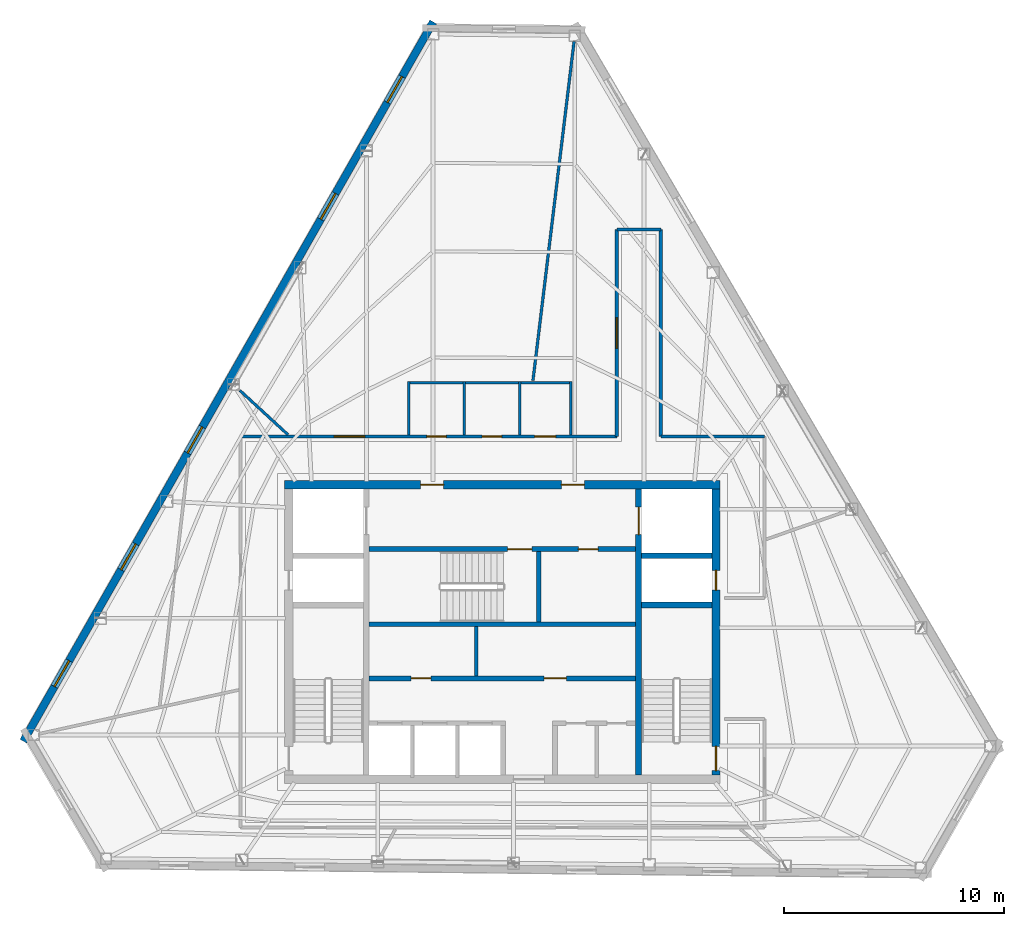
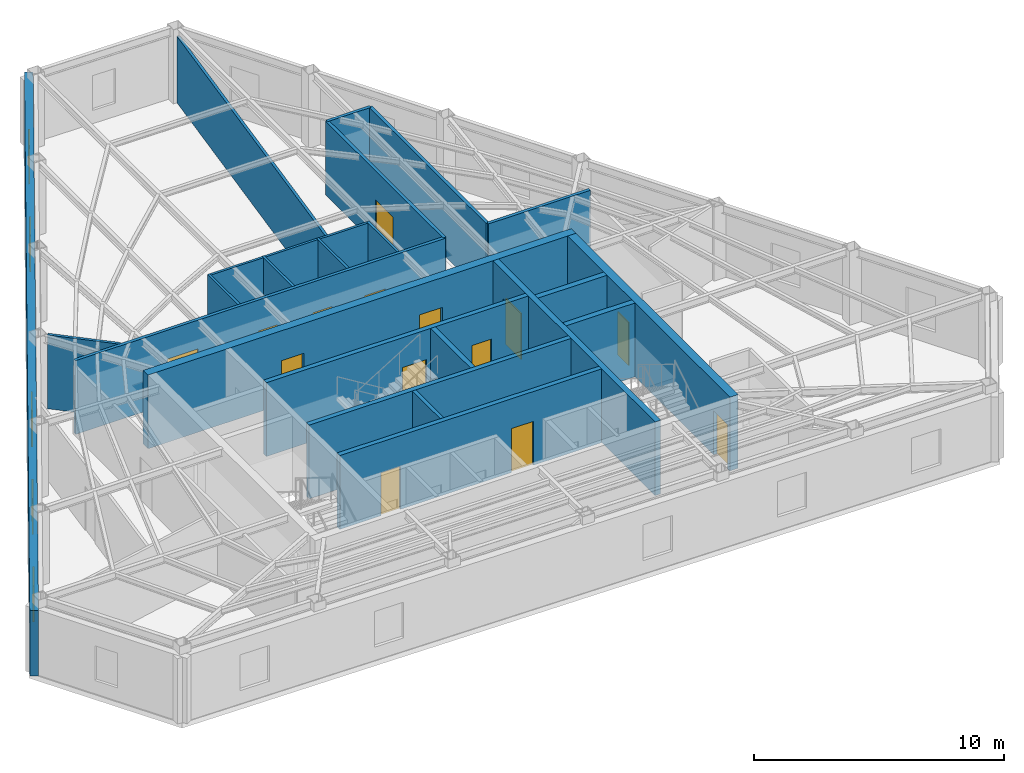
# One storey, part 8 of 10: 23 walls, 14 doors, 5 windows, 19 openings.
"""IFC4 building model written with IfcOpenShell, lengths in metres."""

from ifc_helpers import new_model, si_unit, direction, frame, frame_2d, origin, place, context, subcontext, project, spatial, rectangle, extrude, material, layer, layer_set, type_object, element, fill, save


model = new_model("IFC4")

# Units and contexts
model_context = context("Model", 3, precision=1e-05, world=origin(), true_north=direction((0.0, 1.0)))
body_context = subcontext(model_context, "Body", "Model", "MODEL_VIEW")
ifc_project = project(units=[si_unit("LENGTHUNIT", "METRE"), si_unit("AREAUNIT", "SQUARE_METRE"), si_unit("VOLUMEUNIT", "CUBIC_METRE"), si_unit("PLANEANGLEUNIT", "RADIAN"), si_unit("MASSUNIT", "GRAM", prefix="KILO")], contexts=[model_context])

# Site, building, storey
site_placement = place(None, origin())
site = spatial("IfcSite", under=ifc_project, at=site_placement, CompositionType="ELEMENT")
building_placement = place(site_placement, origin())
building = spatial("IfcBuilding", under=site, at=building_placement, Name="Kavelnor Concourse Tower", CompositionType="ELEMENT")
storey_placement = place(building_placement, frame((0.0, 0.0, 251.050048828125)))
storey = spatial("IfcBuildingStorey", under=building, at=storey_placement, Name="L63", CompositionType="ELEMENT", Elevation=251.050048828125)

# Wall, openings, doors
ifc_material_1 = material(Name="Concrete C50/60", Category="concrete")
ifc_layer_1 = layer(ifc_material_1, 0.3798828125, Name="Concrete C50/60")
ifc_layer_set_1 = layer_set([ifc_layer_1], Name="Concrete C50/60")
wall_type_1 = type_object("IfcWallType", Name="WL-CORE-Z4-380", PredefinedType="SOLIDWALL", material=ifc_layer_set_1)
wall_1_placement = place(storey_placement, frame((28.10009765625, 22.7900390625, 0.0), z_axis=(0.0, 0.0, 1.0), x_axis=(1.0, 0.0, 0.0)))
wall_1 = element("IfcWall", 1, at=wall_1_placement, inside=storey, type_object=wall_type_1, Name="L63 Central Core North Shear Wall", PredefinedType="SOLIDWALL", context=body_context, shape_type="SweptSolid", body=[
    extrude(rectangle(XDim=19.7998046875, YDim=0.3798828125, at=frame_2d((9.89990234375, 0.0))), origin(), (0.0, 0.0, 1.0), 3.60986328125),
])
opening_1_placement = place(wall_1_placement, frame((6.175048828125, 0.0, 0.0)))
opening_1 = element("IfcOpeningElement", 2, at=opening_1_placement, cuts=wall_1, Name="Opening FD-105", PredefinedType="OPENING", context=body_context, shape_type="SweptSolid", body=[
    extrude(rectangle(XDim=1.050048828125, YDim=2.14990234375, at=frame_2d((0.52490234375, 1.074951171875))), frame((0.0, 0.199951171875, 0.0), z_axis=(0.0, -1.0, 0.0), x_axis=(1.0, 0.0, 0.0)), (0.0, 0.0, 1.0), 0.39990234375),
])
opening_2_placement = place(wall_1_placement, frame((12.574951171875, 0.0, 0.0)))
opening_2 = element("IfcOpeningElement", 3, at=opening_2_placement, cuts=wall_1, Name="Opening FD-105", PredefinedType="OPENING", context=body_context, shape_type="SweptSolid", body=[
    extrude(rectangle(XDim=1.050048828125, YDim=2.14990234375, at=frame_2d((0.52490234375, 1.074951171875))), frame((0.0, 0.199951171875, 0.0), z_axis=(0.0, -1.0, 0.0), x_axis=(1.0, 0.0, 0.0)), (0.0, 0.0, 1.0), 0.39990234375),
])
ifc_material_2 = material(Name="Steel Grade 350", Category="steel")
door_type_1 = type_object("IfcDoorType", Name="DR-LOBBY-FIRE-1050", OperationType="NOTDEFINED", PredefinedType="DOOR", material=ifc_material_2)
door_1_placement = place(opening_1_placement, origin())
door_1 = element("IfcDoor", 4, at=door_1_placement, inside=storey, type_object=door_type_1, Name="L63 Emergency Lift Lobby West Door", OperationType="SINGLE_SWING_LEFT", OverallHeight=2.14990234375, OverallWidth=1.050048828125, PredefinedType="DOOR", context=body_context, shape_type="SweptSolid", body=[
    extrude(rectangle(XDim=1.050048828125, YDim=2.14990234375, at=frame_2d((0.52490234375, 1.074951171875))), frame((0.0, 0.02490234375, 0.0), z_axis=(0.0, -1.0, 0.0), x_axis=(1.0, 0.0, 0.0)), (0.0, 0.0, 1.0), 0.050048828125),
])
fill(opening_1, door_1)
door_2_placement = place(opening_2_placement, origin())
door_2 = element("IfcDoor", 5, at=door_2_placement, inside=storey, type_object=door_type_1, Name="L63 Emergency Lift Lobby East Door", OperationType="SINGLE_SWING_RIGHT", OverallHeight=2.14990234375, OverallWidth=1.050048828125, PredefinedType="DOOR", context=body_context, shape_type="SweptSolid", body=[
    extrude(rectangle(XDim=1.050048828125, YDim=2.14990234375, at=frame_2d((0.52490234375, 1.074951171875))), frame((0.0, 0.02490234375, 0.0), z_axis=(0.0, -1.0, 0.0), x_axis=(1.0, 0.0, 0.0)), (0.0, 0.0, 1.0), 0.050048828125),
])
fill(opening_2, door_2)

wall_2_placement = place(storey_placement, frame((47.7099609375, 9.60009765625, 0.0), z_axis=(0.0, 0.0, 1.0), x_axis=(0.0, 1.0, 0.0)))
wall_2 = element("IfcWall", 6, at=wall_2_placement, inside=storey, type_object=wall_type_1, Name="L63 Central Core East Shear Wall", PredefinedType="SOLIDWALL", context=body_context, shape_type="SweptSolid", body=[
    extrude(rectangle(XDim=13.0, YDim=0.3798828125, at=frame_2d((6.5, 0.0))), origin(), (0.0, 0.0, 1.0), 3.60986328125),
])
opening_3_placement = place(wall_2_placement, frame((0.199951171875, 0.0, 0.0)))
opening_3 = element("IfcOpeningElement", 7, at=opening_3_placement, cuts=wall_2, Name="Opening FD-110", PredefinedType="OPENING", context=body_context, shape_type="SweptSolid", body=[
    extrude(rectangle(XDim=1.10009765625, YDim=2.14990234375, at=frame_2d((0.550048828125, 1.074951171875))), frame((0.0, 0.199951171875, 0.0), z_axis=(0.0, -1.0, 0.0), x_axis=(1.0, 0.0, 0.0)), (0.0, 0.0, 1.0), 0.39990234375),
])
opening_4_placement = place(wall_2_placement, frame((8.39990234375, 0.0, 0.0)))
opening_4 = element("IfcOpeningElement", 8, at=opening_4_placement, cuts=wall_2, Name="Opening FD-090", PredefinedType="OPENING", context=body_context, shape_type="SweptSolid", body=[
    extrude(rectangle(XDim=0.89990234375, YDim=2.10009765625, at=frame_2d((0.449951171875, 1.050048828125))), frame((0.0, 0.199951171875, 0.0), z_axis=(0.0, -1.0, 0.0), x_axis=(1.0, 0.0, 0.0)), (0.0, 0.0, 1.0), 0.39990234375),
])
door_type_2 = type_object("IfcDoorType", Name="DR-RISER-FIRE-900", OperationType="NOTDEFINED", PredefinedType="DOOR", material=ifc_material_2)
door_3_placement = place(opening_4_placement, origin())
door_3 = element("IfcDoor", 9, at=door_3_placement, inside=storey, type_object=door_type_2, Name="L63 East Riser Access Door", OperationType="SINGLE_SWING_LEFT", OverallHeight=2.10009765625, OverallWidth=0.89990234375, PredefinedType="DOOR", context=body_context, shape_type="SweptSolid", body=[
    extrude(rectangle(XDim=0.89990234375, YDim=2.10009765625, at=frame_2d((0.449951171875, 1.050048828125))), frame((0.0, 0.02490234375, 0.0), z_axis=(0.0, -1.0, 0.0), x_axis=(1.0, 0.0, 0.0)), (0.0, 0.0, 1.0), 0.050048828125),
])
fill(opening_4, door_3)
door_type_3 = type_object("IfcDoorType", Name="DR-STAIR-FIRE-1100", OperationType="NOTDEFINED", PredefinedType="DOOR", material=ifc_material_2)
door_4_placement = place(opening_3_placement, origin())
door_4 = element("IfcDoor", 10, at=door_4_placement, inside=storey, type_object=door_type_3, Name="L63 Stair ST2 Fire Door", OperationType="SINGLE_SWING_RIGHT", OverallHeight=2.14990234375, OverallWidth=1.10009765625, PredefinedType="DOOR", context=body_context, shape_type="SweptSolid", body=[
    extrude(rectangle(XDim=1.10009765625, YDim=2.14990234375, at=frame_2d((0.550048828125, 1.074951171875))), frame((0.0, 0.02490234375, 0.0), z_axis=(0.0, -1.0, 0.0), x_axis=(1.0, 0.0, 0.0)), (0.0, 0.0, 1.0), 0.050048828125),
])
fill(opening_3, door_4)

# Wall, openings, windows
ifc_material_3 = material(Name="Red-ochre clay face brick masonry", Category="masonry")
ifc_layer_2 = layer(ifc_material_3, 0.35009765625, Name="Red-ochre clay face brick masonry")
ifc_layer_set_2 = layer_set([ifc_layer_2], Name="Red-ochre clay face brick masonry")
wall_type_2 = type_object("IfcWallType", Name="WL-EXT-RED-BRICK-PIER-350", PredefinedType="STANDARD", material=ifc_layer_set_2)
wall_3_placement = place(storey_placement, frame((16.214111328125, 11.135498046875, 0.0), z_axis=(0.0, 0.0, 1.0), x_axis=(0.49510347201, 0.868834018673, 0.0)))
wall_3 = element("IfcWall", 11, at=wall_3_placement, inside=storey, type_object=wall_type_2, Name="L63 Exterior Brick Facade Wall E1", PredefinedType="STANDARD", context=body_context, shape_type="SweptSolid", body=[
    extrude(rectangle(XDim=37.64306640625, YDim=0.35009765625, at=frame_2d((18.821533203125, 0.0))), origin(), (0.0, 0.0, 1.0), 3.196044921875),
])
opening_5_placement = place(wall_3_placement, frame((33.4287109375, 0.0, 0.64990234375)))
opening_5 = element("IfcOpeningElement", 12, at=opening_5_placement, cuts=wall_3, Name="Opening W-04", PredefinedType="OPENING", context=body_context, shape_type="SweptSolid", body=[
    extrude(rectangle(XDim=1.35009765625, YDim=1.75, at=frame_2d((0.675048828125, 0.875))), frame((0.0, 0.18505859375, 0.0), z_axis=(0.0, -1.0, 0.0), x_axis=(1.0, 0.0, 0.0)), (0.0, 0.0, 1.0), 0.3701171875),
])
opening_6_placement = place(wall_3_placement, frame((27.314697265625, 0.0, 0.64990234375)))
opening_6 = element("IfcOpeningElement", 13, at=opening_6_placement, cuts=wall_3, Name="Opening W-04", PredefinedType="OPENING", context=body_context, shape_type="SweptSolid", body=[
    extrude(rectangle(XDim=1.35009765625, YDim=1.75, at=frame_2d((0.675048828125, 0.875))), frame((0.0, 0.18505859375, 0.0), z_axis=(0.0, -1.0, 0.0), x_axis=(1.0, 0.0, 0.0)), (0.0, 0.0, 1.0), 0.3701171875),
])
opening_7_placement = place(wall_3_placement, frame((15.0869140625, 0.0, 0.64990234375)))
opening_7 = element("IfcOpeningElement", 14, at=opening_7_placement, cuts=wall_3, Name="Opening W-04", PredefinedType="OPENING", context=body_context, shape_type="SweptSolid", body=[
    extrude(rectangle(XDim=1.35009765625, YDim=1.75, at=frame_2d((0.675048828125, 0.875))), frame((0.0, 0.18505859375, 0.0), z_axis=(0.0, -1.0, 0.0), x_axis=(1.0, 0.0, 0.0)), (0.0, 0.0, 1.0), 0.3701171875),
])
opening_8_placement = place(wall_3_placement, frame((8.972900390625, 0.0, 0.64990234375)))
opening_8 = element("IfcOpeningElement", 15, at=opening_8_placement, cuts=wall_3, Name="Opening W-04", PredefinedType="OPENING", context=body_context, shape_type="SweptSolid", body=[
    extrude(rectangle(XDim=1.35009765625, YDim=1.75, at=frame_2d((0.675048828125, 0.875))), frame((0.0, 0.18505859375, 0.0), z_axis=(0.0, -1.0, 0.0), x_axis=(1.0, 0.0, 0.0)), (0.0, 0.0, 1.0), 0.3701171875),
])
opening_9_placement = place(wall_3_placement, frame((2.85888671875, 0.0, 0.64990234375)))
opening_9 = element("IfcOpeningElement", 16, at=opening_9_placement, cuts=wall_3, Name="Opening W-04", PredefinedType="OPENING", context=body_context, shape_type="SweptSolid", body=[
    extrude(rectangle(XDim=1.35009765625, YDim=1.75, at=frame_2d((0.675048828125, 0.875))), frame((0.0, 0.18505859375, 0.0), z_axis=(0.0, -1.0, 0.0), x_axis=(1.0, 0.0, 0.0)), (0.0, 0.0, 1.0), 0.3701171875),
])
ifc_material_4 = material(Name="Double low-E argon insulated glazing", Category="glass")
window_type = type_object("IfcWindowType", Name="WIN-PIER-Z4-1350", PartitioningType="SINGLE_PANEL", PredefinedType="WINDOW", material=ifc_material_4)
window_1_placement = place(opening_5_placement, origin())
window_1 = element("IfcWindow", 17, at=window_1_placement, inside=storey, type_object=window_type, Name="L63 Deep-Set Brick Pier Window F0-B0", OverallHeight=1.75, OverallWidth=1.35009765625, PartitioningType="SINGLE_PANEL", PredefinedType="WINDOW", context=body_context, shape_type="SweptSolid", body=[
    extrude(rectangle(XDim=1.35009765625, YDim=1.75, at=frame_2d((0.675048828125, 0.875))), frame((0.0, 0.030029296875, 0.0), z_axis=(0.0, -1.0, 0.0), x_axis=(1.0, 0.0, 0.0)), (0.0, 0.0, 1.0), 0.06005859375),
])
fill(opening_5, window_1)
window_2_placement = place(opening_6_placement, origin())
window_2 = element("IfcWindow", 18, at=window_2_placement, inside=storey, type_object=window_type, Name="L63 Deep-Set Brick Pier Window F0-B1", OverallHeight=1.75, OverallWidth=1.35009765625, PartitioningType="SINGLE_PANEL", PredefinedType="WINDOW", context=body_context, shape_type="SweptSolid", body=[
    extrude(rectangle(XDim=1.35009765625, YDim=1.75, at=frame_2d((0.675048828125, 0.875))), frame((0.0, 0.030029296875, 0.0), z_axis=(0.0, -1.0, 0.0), x_axis=(1.0, 0.0, 0.0)), (0.0, 0.0, 1.0), 0.06005859375),
])
fill(opening_6, window_2)
window_3_placement = place(opening_7_placement, origin())
window_3 = element("IfcWindow", 19, at=window_3_placement, inside=storey, type_object=window_type, Name="L63 Deep-Set Brick Pier Window F0-B3", OverallHeight=1.75, OverallWidth=1.35009765625, PartitioningType="SINGLE_PANEL", PredefinedType="WINDOW", context=body_context, shape_type="SweptSolid", body=[
    extrude(rectangle(XDim=1.35009765625, YDim=1.75, at=frame_2d((0.675048828125, 0.875))), frame((0.0, 0.030029296875, 0.0), z_axis=(0.0, -1.0, 0.0), x_axis=(1.0, 0.0, 0.0)), (0.0, 0.0, 1.0), 0.06005859375),
])
fill(opening_7, window_3)
window_4_placement = place(opening_8_placement, origin())
window_4 = element("IfcWindow", 20, at=window_4_placement, inside=storey, type_object=window_type, Name="L63 Deep-Set Brick Pier Window F0-B4", OverallHeight=1.75, OverallWidth=1.35009765625, PartitioningType="SINGLE_PANEL", PredefinedType="WINDOW", context=body_context, shape_type="SweptSolid", body=[
    extrude(rectangle(XDim=1.35009765625, YDim=1.75, at=frame_2d((0.675048828125, 0.875))), frame((0.0, 0.030029296875, 0.0), z_axis=(0.0, -1.0, 0.0), x_axis=(1.0, 0.0, 0.0)), (0.0, 0.0, 1.0), 0.06005859375),
])
fill(opening_8, window_4)
window_5_placement = place(opening_9_placement, origin())
window_5 = element("IfcWindow", 21, at=window_5_placement, inside=storey, type_object=window_type, Name="L63 Deep-Set Brick Pier Window F0-B5", OverallHeight=1.75, OverallWidth=1.35009765625, PartitioningType="SINGLE_PANEL", PredefinedType="WINDOW", context=body_context, shape_type="SweptSolid", body=[
    extrude(rectangle(XDim=1.35009765625, YDim=1.75, at=frame_2d((0.675048828125, 0.875))), frame((0.0, 0.030029296875, 0.0), z_axis=(0.0, -1.0, 0.0), x_axis=(1.0, 0.0, 0.0)), (0.0, 0.0, 1.0), 0.06005859375),
])
fill(opening_9, window_5)

# Wall, opening, door
ifc_material_5 = material(Name="Gypsum plasterboard on light-gauge steel studs", Category="steel")
ifc_layer_3 = layer(ifc_material_5, 0.14501953125, Name="Gypsum plasterboard on light-gauge steel studs")
ifc_layer_set_3 = layer_set([ifc_layer_3], Name="Gypsum plasterboard on light-gauge steel studs")
wall_type_3 = type_object("IfcWallType", Name="WL-INT-CORR-145", PredefinedType="PARTITIONING", material=ifc_layer_set_3)
wall_4_placement = place(storey_placement, frame((43.199951171875, 24.989990234375, 0.0), z_axis=(0.0, 0.0, 1.0), x_axis=(0.0, 1.0, 0.0)))
wall_4 = element("IfcWall", 22, at=wall_4_placement, inside=storey, type_object=wall_type_3, Name="L63 Corridor Wall WL-L63-CR-01", PredefinedType="PARTITIONING", context=body_context, shape_type="SweptSolid", body=[
    extrude(rectangle(XDim=9.409912109375, YDim=0.14501953125, at=frame_2d((4.705078125, 0.0))), origin(), (0.0, 0.0, 1.0), 3.60986328125),
])
opening_10_placement = place(wall_4_placement, frame((4.0048828125, 0.0, 0.0)))
opening_10 = element("IfcOpeningElement", 23, at=opening_10_placement, cuts=wall_4, Name="Opening SD-140", PredefinedType="OPENING", context=body_context, shape_type="SweptSolid", body=[
    extrude(rectangle(XDim=1.39990234375, YDim=2.199951171875, at=frame_2d((0.699951171875, 1.10009765625))), frame((0.0, 0.08251953125, 0.0), z_axis=(0.0, -1.0, 0.0), x_axis=(1.0, 0.0, 0.0)), (0.0, 0.0, 1.0), 0.1650390625),
])
ifc_material_6 = material(Name="Solid-core hardwood timber", Category="wood")
door_type_4 = type_object("IfcDoorType", Name="DR-SUITE-ENTRY-1400", OperationType="NOTDEFINED", PredefinedType="DOOR", material=ifc_material_6)
door_5_placement = place(opening_10_placement, origin())
door_5 = element("IfcDoor", 24, at=door_5_placement, inside=storey, type_object=door_type_4, Name="L63 Staff Breakout Pantry 01 Door", OperationType="SINGLE_SWING_LEFT", OverallHeight=2.199951171875, OverallWidth=1.39990234375, PredefinedType="DOOR", context=body_context, shape_type="SweptSolid", body=[
    extrude(rectangle(XDim=1.39990234375, YDim=2.199951171875, at=frame_2d((0.699951171875, 1.10009765625))), frame((0.0, 0.02490234375, 0.0), z_axis=(0.0, -1.0, 0.0), x_axis=(1.0, 0.0, 0.0)), (0.0, 0.0, 1.0), 0.050048828125),
])
fill(opening_10, door_5)

# Walls
wall_5_placement = place(storey_placement, frame((43.199951171875, 34.39990234375, 0.0), z_axis=(0.0, 0.0, 1.0), x_axis=(1.0, 0.0, 0.0)))
element("IfcWall", 25, at=wall_5_placement, inside=storey, type_object=wall_type_3, Name="L63 Corridor Wall WL-L63-CR-02", PredefinedType="PARTITIONING", context=body_context, shape_type="SweptSolid", body=[
    extrude(rectangle(XDim=2.0, YDim=0.14501953125, at=frame_2d((1.0, 0.0))), origin(), (0.0, 0.0, 1.0), 3.60986328125),
])
wall_6_placement = place(storey_placement, frame((45.199951171875, 34.39990234375, 0.0), z_axis=(0.0, 0.0, 1.0), x_axis=(0.0, -1.0, 0.0)))
element("IfcWall", 26, at=wall_6_placement, inside=storey, type_object=wall_type_3, Name="L63 Corridor Wall WL-L63-CR-03", PredefinedType="PARTITIONING", context=body_context, shape_type="SweptSolid", body=[
    extrude(rectangle(XDim=9.409912109375, YDim=0.14501953125, at=frame_2d((4.705078125, 0.0))), origin(), (0.0, 0.0, 1.0), 3.60986328125),
])
wall_7_placement = place(storey_placement, frame((45.199951171875, 24.989990234375, 0.0), z_axis=(0.0, 0.0, 1.0), x_axis=(1.0, 0.0, 0.0)))
element("IfcWall", 27, at=wall_7_placement, inside=storey, type_object=wall_type_3, Name="L63 Corridor Wall WL-L63-CR-04", PredefinedType="PARTITIONING", context=body_context, shape_type="SweptSolid", body=[
    extrude(rectangle(XDim=4.7099609375, YDim=0.14501953125, at=frame_2d((2.35498046875, 0.0))), origin(), (0.0, 0.0, 1.0), 3.60986328125),
])

# Wall, openings, doors
wall_8_placement = place(storey_placement, frame((26.090087890625, 24.989990234375, 0.0), z_axis=(0.0, 0.0, 1.0), x_axis=(1.0, 0.0, 0.0)))
wall_8 = element("IfcWall", 28, at=wall_8_placement, inside=storey, type_object=wall_type_3, Name="L63 Corridor Wall WL-L63-CR-11", PredefinedType="PARTITIONING", context=body_context, shape_type="SweptSolid", body=[
    extrude(rectangle(XDim=17.10986328125, YDim=0.14501953125, at=frame_2d((8.554931640625, 0.0))), origin(), (0.0, 0.0, 1.0), 3.60986328125),
])
opening_11_placement = place(wall_8_placement, frame((8.469970703125, 0.0, 0.0)))
opening_11 = element("IfcOpeningElement", 29, at=opening_11_placement, cuts=wall_8, Name="Opening WD-088", PredefinedType="OPENING", context=body_context, shape_type="SweptSolid", body=[
    extrude(rectangle(XDim=0.8798828125, YDim=2.10009765625, at=frame_2d((0.43994140625, 1.050048828125))), frame((0.0, 0.08251953125, 0.0), z_axis=(0.0, -1.0, 0.0), x_axis=(1.0, 0.0, 0.0)), (0.0, 0.0, 1.0), 0.1650390625),
])
opening_12_placement = place(wall_8_placement, frame((10.989990234375, 0.0, 0.0)))
opening_12 = element("IfcOpeningElement", 30, at=opening_12_placement, cuts=wall_8, Name="Opening WD-088", PredefinedType="OPENING", context=body_context, shape_type="SweptSolid", body=[
    extrude(rectangle(XDim=0.8798828125, YDim=2.10009765625, at=frame_2d((0.43994140625, 1.050048828125))), frame((0.0, 0.08251953125, 0.0), z_axis=(0.0, -1.0, 0.0), x_axis=(1.0, 0.0, 0.0)), (0.0, 0.0, 1.0), 0.1650390625),
])
opening_13_placement = place(wall_8_placement, frame((13.3701171875, 0.0, 0.0)))
opening_13 = element("IfcOpeningElement", 31, at=opening_13_placement, cuts=wall_8, Name="Opening WD-096", PredefinedType="OPENING", context=body_context, shape_type="SweptSolid", body=[
    extrude(rectangle(XDim=0.9599609375, YDim=2.10009765625, at=frame_2d((0.47998046875, 1.050048828125))), frame((0.0, 0.08251953125, 0.0), z_axis=(0.0, -1.0, 0.0), x_axis=(1.0, 0.0, 0.0)), (0.0, 0.0, 1.0), 0.1650390625),
])
opening_14_placement = place(wall_8_placement, frame((4.257080078125, 0.0, 0.0)))
opening_14 = element("IfcOpeningElement", 32, at=opening_14_placement, cuts=wall_8, Name="Opening SD-140", PredefinedType="OPENING", context=body_context, shape_type="SweptSolid", body=[
    extrude(rectangle(XDim=1.39990234375, YDim=2.199951171875, at=frame_2d((0.699951171875, 1.10009765625))), frame((0.0, 0.08251953125, 0.0), z_axis=(0.0, -1.0, 0.0), x_axis=(1.0, 0.0, 0.0)), (0.0, 0.0, 1.0), 0.1650390625),
])
door_6_placement = place(opening_14_placement, origin())
door_6 = element("IfcDoor", 33, at=door_6_placement, inside=storey, type_object=door_type_4, Name="L63 Client Concierge 02 Door", OperationType="SINGLE_SWING_RIGHT", OverallHeight=2.199951171875, OverallWidth=1.39990234375, PredefinedType="DOOR", context=body_context, shape_type="SweptSolid", body=[
    extrude(rectangle(XDim=1.39990234375, YDim=2.199951171875, at=frame_2d((0.699951171875, 1.10009765625))), frame((0.0, 0.02490234375, 0.0), z_axis=(0.0, -1.0, 0.0), x_axis=(1.0, 0.0, 0.0)), (0.0, 0.0, 1.0), 0.050048828125),
])
fill(opening_14, door_6)
door_type_5 = type_object("IfcDoorType", Name="DR-WC-ACC-960", OperationType="NOTDEFINED", PredefinedType="DOOR", material=ifc_material_6)
door_7_placement = place(opening_13_placement, origin())
door_7 = element("IfcDoor", 34, at=door_7_placement, inside=storey, type_object=door_type_5, Name="L63 Accessible WC Door", OperationType="SINGLE_SWING_RIGHT", OverallHeight=2.10009765625, OverallWidth=0.9599609375, PredefinedType="DOOR", context=body_context, shape_type="SweptSolid", body=[
    extrude(rectangle(XDim=0.9599609375, YDim=2.10009765625, at=frame_2d((0.47998046875, 1.050048828125))), frame((0.0, 0.02490234375, 0.0), z_axis=(0.0, -1.0, 0.0), x_axis=(1.0, 0.0, 0.0)), (0.0, 0.0, 1.0), 0.050048828125),
])
fill(opening_13, door_7)
door_type_6 = type_object("IfcDoorType", Name="DR-WC-STD-880", OperationType="NOTDEFINED", PredefinedType="DOOR", material=ifc_material_6)
door_8_placement = place(opening_11_placement, origin())
door_8 = element("IfcDoor", 35, at=door_8_placement, inside=storey, type_object=door_type_6, Name="L63 Male WC Door", OperationType="SINGLE_SWING_RIGHT", OverallHeight=2.10009765625, OverallWidth=0.8798828125, PredefinedType="DOOR", context=body_context, shape_type="SweptSolid", body=[
    extrude(rectangle(XDim=0.8798828125, YDim=2.10009765625, at=frame_2d((0.43994140625, 1.050048828125))), frame((0.0, 0.02490234375, 0.0), z_axis=(0.0, -1.0, 0.0), x_axis=(1.0, 0.0, 0.0)), (0.0, 0.0, 1.0), 0.050048828125),
])
fill(opening_11, door_8)
door_9_placement = place(opening_12_placement, origin())
door_9 = element("IfcDoor", 36, at=door_9_placement, inside=storey, type_object=door_type_6, Name="L63 Female WC Door", OperationType="SINGLE_SWING_LEFT", OverallHeight=2.10009765625, OverallWidth=0.8798828125, PredefinedType="DOOR", context=body_context, shape_type="SweptSolid", body=[
    extrude(rectangle(XDim=0.8798828125, YDim=2.10009765625, at=frame_2d((0.43994140625, 1.050048828125))), frame((0.0, 0.02490234375, 0.0), z_axis=(0.0, -1.0, 0.0), x_axis=(1.0, 0.0, 0.0)), (0.0, 0.0, 1.0), 0.050048828125),
])
fill(opening_12, door_9)

# Walls
ifc_layer_4 = layer(ifc_material_5, 0.1650390625, Name="Gypsum plasterboard on light-gauge steel studs")
ifc_layer_set_4 = layer_set([ifc_layer_4], Name="Gypsum plasterboard on light-gauge steel studs")
wall_type_4 = type_object("IfcWallType", Name="WL-INT-FIRE-165", PredefinedType="PARTITIONING", material=ifc_layer_set_4)
wall_9_placement = place(storey_placement, frame((36.800048828125, 14.10009765625, 0.0), z_axis=(0.0, 0.0, 1.0), x_axis=(0.0, 1.0, 0.0)))
element("IfcWall", 37, at=wall_9_placement, inside=storey, type_object=wall_type_4, Name="L63 Reclaimed Core Partition A", PredefinedType="PARTITIONING", context=body_context, shape_type="SweptSolid", body=[
    extrude(rectangle(XDim=2.239990234375, YDim=0.1650390625, at=frame_2d((1.1201171875, 0.0))), origin(), (0.0, 0.0, 1.0), 3.60986328125),
])
ifc_layer_5 = layer(ifc_material_5, 0.125, Name="Gypsum plasterboard on light-gauge steel studs")
ifc_layer_set_5 = layer_set([ifc_layer_5], Name="Gypsum plasterboard on light-gauge steel studs")
wall_type_5 = type_object("IfcWallType", Name="WL-INT-SUITE-125", PredefinedType="PARTITIONING", material=ifc_layer_set_5)
wall_10_placement = place(storey_placement, frame((39.387451171875, 27.5400390625, 0.0), z_axis=(0.0, 0.0, 1.0), x_axis=(0.12041169592, 0.99272404196, 0.0)))
element("IfcWall", 38, at=wall_10_placement, inside=storey, type_object=wall_type_5, Name="L63 Radial Suite Partition 02", PredefinedType="PARTITIONING", context=body_context, shape_type="SweptSolid", body=[
    extrude(rectangle(XDim=15.52099609375, YDim=0.125, at=frame_2d((7.760498046875, 0.0))), origin(), (0.0, 0.0, 1.0), 3.245849609375),
])
wall_11_placement = place(storey_placement, frame((28.246826171875, 25.070556640625, 0.0), z_axis=(0.0, 0.0, 1.0), x_axis=(-0.736030630255, 0.67694823386, 0.0)))
element("IfcWall", 39, at=wall_11_placement, inside=storey, type_object=wall_type_5, Name="L63 Radial Suite Partition 03", PredefinedType="PARTITIONING", context=body_context, shape_type="SweptSolid", body=[
    extrude(rectangle(XDim=2.979248046875, YDim=0.125, at=frame_2d((1.48974609375, 0.0))), origin(), (0.0, 0.0, 1.0), 3.60986328125),
])
ifc_layer_6 = layer(ifc_material_5, 0.110107421875, Name="Gypsum plasterboard on light-gauge steel studs")
ifc_layer_set_6 = layer_set([ifc_layer_6], Name="Gypsum plasterboard on light-gauge steel studs")
wall_type_6 = type_object("IfcWallType", Name="WL-INT-WC-110", PredefinedType="PLUMBINGWALL", material=ifc_layer_set_6)
for number, where, z_axis, x_axis, name in (
    (40, (33.739990234375, 25.06005859375, 0.0), (0.0, 0.0, 1.0), (0.0, 1.0, 0.0), "L63 Sanitary Partition WL-L63-WC-W"),
    (41, (36.260009765625, 25.06005859375, 0.0), (0.0, 0.0, 1.0), (0.0, 1.0, 0.0), "L63 Sanitary Partition WL-L63-WC-D1"),
    (42, (38.780029296875, 25.06005859375, 0.0), (0.0, 0.0, 1.0), (0.0, 1.0, 0.0), "L63 Sanitary Partition WL-L63-WC-D2"),
    (43, (41.10009765625, 25.06005859375, 0.0), (0.0, 0.0, 1.0), (0.0, 1.0, 0.0), "L63 Sanitary Partition WL-L63-WC-E"),
):
    element("IfcWall", number, at=place(storey_placement, frame(where, z_axis=z_axis, x_axis=x_axis)), inside=storey, type_object=wall_type_6, Name=name, PredefinedType="PLUMBINGWALL", context=body_context, shape_type="SweptSolid", body=[
        extrude(rectangle(XDim=2.43994140625, YDim=0.110107421875, at=frame_2d((1.219970703125, 0.0))), origin(), (0.0, 0.0, 1.0), 3.60986328125),
    ])
wall_12_placement = place(storey_placement, frame((33.68994140625, 27.43994140625, 0.0), z_axis=(0.0, 0.0, 1.0), x_axis=(1.0, 0.0, 0.0)))
element("IfcWall", 44, at=wall_12_placement, inside=storey, type_object=wall_type_6, Name="L63 Sanitary Partition WL-L63-WC-N", PredefinedType="PLUMBINGWALL", context=body_context, shape_type="SweptSolid", body=[
    extrude(rectangle(XDim=7.4599609375, YDim=0.110107421875, at=frame_2d((3.72998046875, 0.0))), origin(), (0.0, 0.0, 1.0), 3.60986328125),
])

# Wall, openings, doors
ifc_layer_7 = layer(ifc_material_1, 0.219970703125, Name="Concrete C50/60")
ifc_layer_set_7 = layer_set([ifc_layer_7], Name="Concrete C50/60")
wall_type_7 = type_object("IfcWallType", Name="WL-SHAFT-220", PredefinedType="SOLIDWALL", material=ifc_layer_set_7)
wall_13_placement = place(storey_placement, frame((31.93994140625, 19.8701171875, 0.0), z_axis=(0.0, 0.0, 1.0), x_axis=(1.0, 0.0, 0.0)))
wall_13 = element("IfcWall", 45, at=wall_13_placement, inside=storey, type_object=wall_type_7, Name="L63 Emergency Lift Lobby South Wall", PredefinedType="SOLIDWALL", context=body_context, shape_type="SweptSolid", body=[
    extrude(rectangle(XDim=12.1201171875, YDim=0.219970703125, at=frame_2d((6.06005859375, 0.0))), origin(), (0.0, 0.0, 1.0), 3.60986328125),
])
opening_15_placement = place(wall_13_placement, frame((6.300048828125, 0.0, 0.0)))
opening_15 = element("IfcOpeningElement", 46, at=opening_15_placement, cuts=wall_13, Name="Opening FD-110", PredefinedType="OPENING", context=body_context, shape_type="SweptSolid", body=[
    extrude(rectangle(XDim=1.10009765625, YDim=2.14990234375, at=frame_2d((0.550048828125, 1.074951171875))), frame((0.0, 0.1201171875, 0.0), z_axis=(0.0, -1.0, 0.0), x_axis=(1.0, 0.0, 0.0)), (0.0, 0.0, 1.0), 0.239990234375),
])
opening_16_placement = place(wall_13_placement, frame((9.510009765625, 0.0, 0.0)))
opening_16 = element("IfcOpeningElement", 47, at=opening_16_placement, cuts=wall_13, Name="Opening FD-090", PredefinedType="OPENING", context=body_context, shape_type="SweptSolid", body=[
    extrude(rectangle(XDim=0.89990234375, YDim=2.10009765625, at=frame_2d((0.449951171875, 1.050048828125))), frame((0.0, 0.1201171875, 0.0), z_axis=(0.0, -1.0, 0.0), x_axis=(1.0, 0.0, 0.0)), (0.0, 0.0, 1.0), 0.239990234375),
])
door_10_placement = place(opening_16_placement, origin())
door_10 = element("IfcDoor", 48, at=door_10_placement, inside=storey, type_object=door_type_2, Name="L63 Electrical Comms Door", OperationType="SINGLE_SWING_LEFT", OverallHeight=2.10009765625, OverallWidth=0.89990234375, PredefinedType="DOOR", context=body_context, shape_type="SweptSolid", body=[
    extrude(rectangle(XDim=0.89990234375, YDim=2.10009765625, at=frame_2d((0.449951171875, 1.050048828125))), frame((0.0, 0.02490234375, 0.0), z_axis=(0.0, -1.0, 0.0), x_axis=(1.0, 0.0, 0.0)), (0.0, 0.0, 1.0), 0.050048828125),
])
fill(opening_16, door_10)
door_11_placement = place(opening_15_placement, origin())
door_11 = element("IfcDoor", 49, at=door_11_placement, inside=storey, type_object=door_type_3, Name="L63 Stair ST3 Fire Door", OperationType="SINGLE_SWING_LEFT", OverallHeight=2.14990234375, OverallWidth=1.10009765625, PredefinedType="DOOR", context=body_context, shape_type="SweptSolid", body=[
    extrude(rectangle(XDim=1.10009765625, YDim=2.14990234375, at=frame_2d((0.550048828125, 1.074951171875))), frame((0.0, 0.02490234375, 0.0), z_axis=(0.0, -1.0, 0.0), x_axis=(1.0, 0.0, 0.0)), (0.0, 0.0, 1.0), 0.050048828125),
])
fill(opening_15, door_11)

# Walls
wall_14_placement = place(storey_placement, frame((31.93994140625, 16.449951171875, 0.0), z_axis=(0.0, 0.0, 1.0), x_axis=(1.0, 0.0, 0.0)))
element("IfcWall", 50, at=wall_14_placement, inside=storey, type_object=wall_type_7, Name="L63 Stair ST3 South Core Wall", PredefinedType="SOLIDWALL", context=body_context, shape_type="SweptSolid", body=[
    extrude(rectangle(XDim=12.1201171875, YDim=0.219970703125, at=frame_2d((6.06005859375, 0.0))), origin(), (0.0, 0.0, 1.0), 3.60986328125),
])
wall_15_placement = place(storey_placement, frame((39.64990234375, 16.56005859375, 0.0), z_axis=(0.0, 0.0, 1.0), x_axis=(0.0, 1.0, 0.0)))
element("IfcWall", 51, at=wall_15_placement, inside=storey, type_object=wall_type_7, Name="L63 Stair ST3 East Core Wall", PredefinedType="SOLIDWALL", context=body_context, shape_type="SweptSolid", body=[
    extrude(rectangle(XDim=3.199951171875, YDim=0.219970703125, at=frame_2d((1.60009765625, 0.0))), origin(), (0.0, 0.0, 1.0), 3.60986328125),
])

# Wall, openings, doors
wall_16_placement = place(storey_placement, frame((31.93994140625, 13.989990234375, 0.0), z_axis=(0.0, 0.0, 1.0), x_axis=(1.0, 0.0, 0.0)))
wall_16 = element("IfcWall", 52, at=wall_16_placement, inside=storey, type_object=wall_type_7, Name="L63 North Lift Row Shaft Wall", PredefinedType="SOLIDWALL", context=body_context, shape_type="SweptSolid", body=[
    extrude(rectangle(XDim=12.1201171875, YDim=0.219970703125, at=frame_2d((6.06005859375, 0.0))), origin(), (0.0, 0.0, 1.0), 3.60986328125),
])
opening_17_placement = place(wall_16_placement, frame((1.909912109375, 0.0, 0.0)))
opening_17 = element("IfcOpeningElement", 53, at=opening_17_placement, cuts=wall_16, Name="Opening FD-090", PredefinedType="OPENING", context=body_context, shape_type="SweptSolid", body=[
    extrude(rectangle(XDim=0.89990234375, YDim=2.10009765625, at=frame_2d((0.449951171875, 1.050048828125))), frame((0.0, 0.1201171875, 0.0), z_axis=(0.0, -1.0, 0.0), x_axis=(1.0, 0.0, 0.0)), (0.0, 0.0, 1.0), 0.239990234375),
])
opening_18_placement = place(wall_16_placement, frame((7.949951171875, 0.0, 0.0)))
opening_18 = element("IfcOpeningElement", 54, at=opening_18_placement, cuts=wall_16, Name="Opening MD-102", PredefinedType="OPENING", context=body_context, shape_type="SweptSolid", body=[
    extrude(rectangle(XDim=1.02001953125, YDim=2.14990234375, at=frame_2d((0.510009765625, 1.074951171875))), frame((0.0, 0.1201171875, 0.0), z_axis=(0.0, -1.0, 0.0), x_axis=(1.0, 0.0, 0.0)), (0.0, 0.0, 1.0), 0.239990234375),
])
ifc_material_7 = material(Name="Acoustic glazed timber frame", Category="wood")
door_type_7 = type_object("IfcDoorType", Name="DR-MEETING-1020", OperationType="NOTDEFINED", PredefinedType="DOOR", material=ifc_material_7)
door_12_placement = place(opening_18_placement, origin())
door_12 = element("IfcDoor", 55, at=door_12_placement, inside=storey, type_object=door_type_7, Name="L63 Briefing Room Door", OperationType="SINGLE_SWING_RIGHT", OverallHeight=2.14990234375, OverallWidth=1.02001953125, PredefinedType="DOOR", context=body_context, shape_type="SweptSolid", body=[
    extrude(rectangle(XDim=1.02001953125, YDim=2.14990234375, at=frame_2d((0.510009765625, 1.074951171875))), frame((0.0, 0.02490234375, 0.0), z_axis=(0.0, -1.0, 0.0), x_axis=(1.0, 0.0, 0.0)), (0.0, 0.0, 1.0), 0.050048828125),
])
fill(opening_18, door_12)
door_13_placement = place(opening_17_placement, origin())
door_13 = element("IfcDoor", 56, at=door_13_placement, inside=storey, type_object=door_type_2, Name="L63 IT Room Door", OperationType="SINGLE_SWING_LEFT", OverallHeight=2.10009765625, OverallWidth=0.89990234375, PredefinedType="DOOR", context=body_context, shape_type="SweptSolid", body=[
    extrude(rectangle(XDim=0.89990234375, YDim=2.10009765625, at=frame_2d((0.449951171875, 1.050048828125))), frame((0.0, 0.02490234375, 0.0), z_axis=(0.0, -1.0, 0.0), x_axis=(1.0, 0.0, 0.0)), (0.0, 0.0, 1.0), 0.050048828125),
])
fill(opening_17, door_13)

# Wall, opening, door
ifc_layer_8 = layer(ifc_material_1, 0.260009765625, Name="Concrete C50/60")
ifc_layer_set_8 = layer_set([ifc_layer_8], Name="Concrete C50/60")
wall_type_8 = type_object("IfcWallType", Name="WL-SHAFT-260", PredefinedType="SHEAR", material=ifc_layer_set_8)
wall_17_placement = place(storey_placement, frame((44.18994140625, 9.60009765625, 0.0), z_axis=(0.0, 0.0, 1.0), x_axis=(0.0, 1.0, 0.0)))
wall_17 = element("IfcWall", 57, at=wall_17_placement, inside=storey, type_object=wall_type_8, Name="L63 Core East Wing Shear Wall", PredefinedType="SHEAR", context=body_context, shape_type="SweptSolid", body=[
    extrude(rectangle(XDim=13.0, YDim=0.260009765625, at=frame_2d((6.5, 0.0))), origin(), (0.0, 0.0, 1.0), 3.60986328125),
])
opening_19_placement = place(wall_17_placement, frame((10.925048828125, 0.0, 0.0)))
opening_19 = element("IfcOpeningElement", 58, at=opening_19_placement, cuts=wall_17, Name="Opening LD-125", PredefinedType="OPENING", context=body_context, shape_type="SweptSolid", body=[
    extrude(rectangle(XDim=1.25, YDim=2.25, at=frame_2d((0.625, 1.125))), frame((0.0, 0.14013671875, 0.0), z_axis=(0.0, -1.0, 0.0), x_axis=(1.0, 0.0, 0.0)), (0.0, 0.0, 1.0), 0.280029296875),
])
door_type_8 = type_object("IfcDoorType", Name="DR-LIFT-SLIDING-1250", OperationType="NOTDEFINED", PredefinedType="DOOR", material=ifc_material_2)
door_14_placement = place(opening_19_placement, origin())
door_14 = element("IfcDoor", 59, at=door_14_placement, inside=storey, type_object=door_type_8, Name="L63 Emergency Lift FL2 Landing Door", OperationType="DOUBLE_DOOR_SLIDING", OverallHeight=2.25, OverallWidth=1.25, PredefinedType="DOOR", context=body_context, shape_type="SweptSolid", body=[
    extrude(rectangle(XDim=1.25, YDim=2.25, at=frame_2d((0.625, 1.125))), frame((0.0, 0.02490234375, 0.0), z_axis=(0.0, -1.0, 0.0), x_axis=(1.0, 0.0, 0.0)), (0.0, 0.0, 1.0), 0.050048828125),
])
fill(opening_19, door_14)

# Walls
for number, where, z_axis, x_axis, name in (
    (60, (44.320068359375, 17.330078125, 0.0), (0.0, 0.0, 1.0), (1.0, 0.0, 0.0), "L63 Stair ST2 North Shaft Wall"),
    (61, (44.320068359375, 19.570068359375, 0.0), (0.0, 0.0, 1.0), (1.0, 0.0, 0.0), "L63 Emergency Lift FL2 South Shaft Wall"),
):
    element("IfcWall", number, at=place(storey_placement, frame(where, z_axis=z_axis, x_axis=x_axis)), inside=storey, type_object=wall_type_8, Name=name, PredefinedType="SHEAR", context=body_context, shape_type="SweptSolid", body=[
        extrude(rectangle(XDim=3.199951171875, YDim=0.260009765625, at=frame_2d((1.60009765625, 0.0))), origin(), (0.0, 0.0, 1.0), 3.60986328125),
    ])

save(model, "model.ifc")
